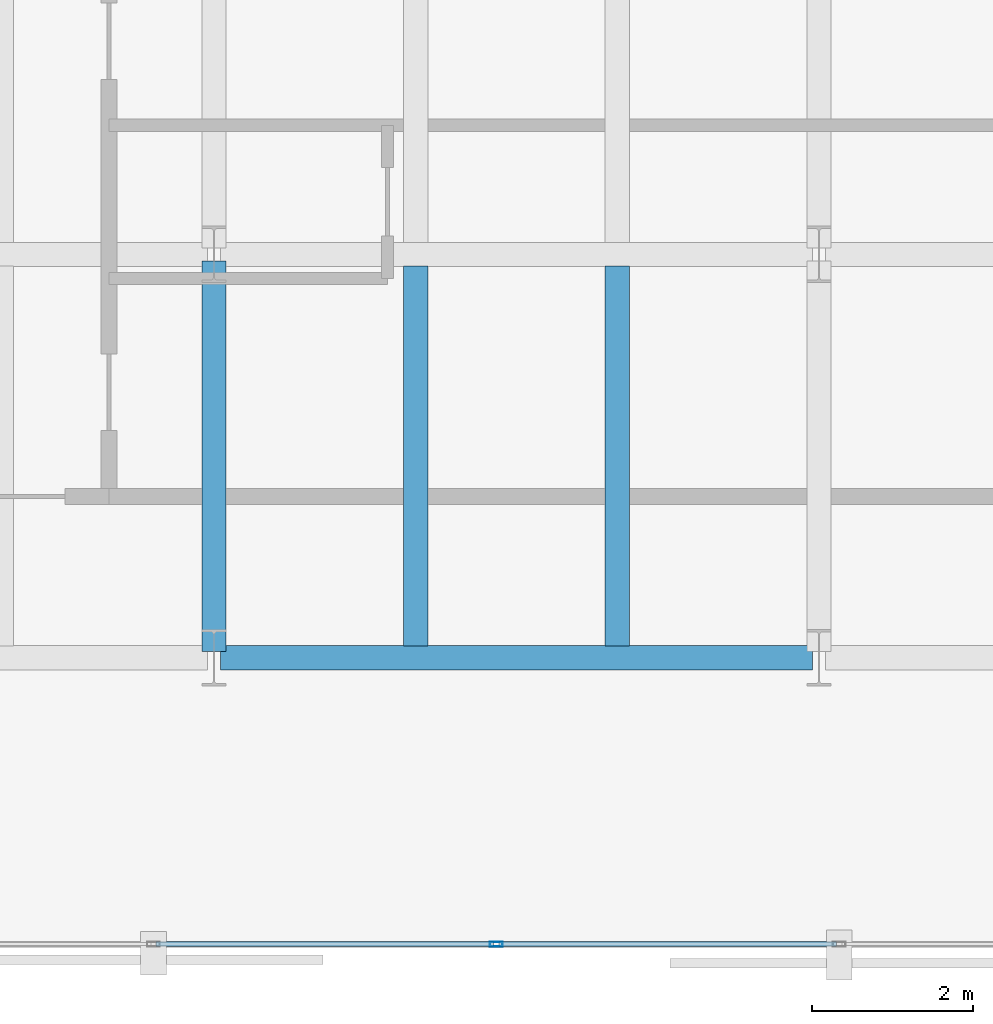
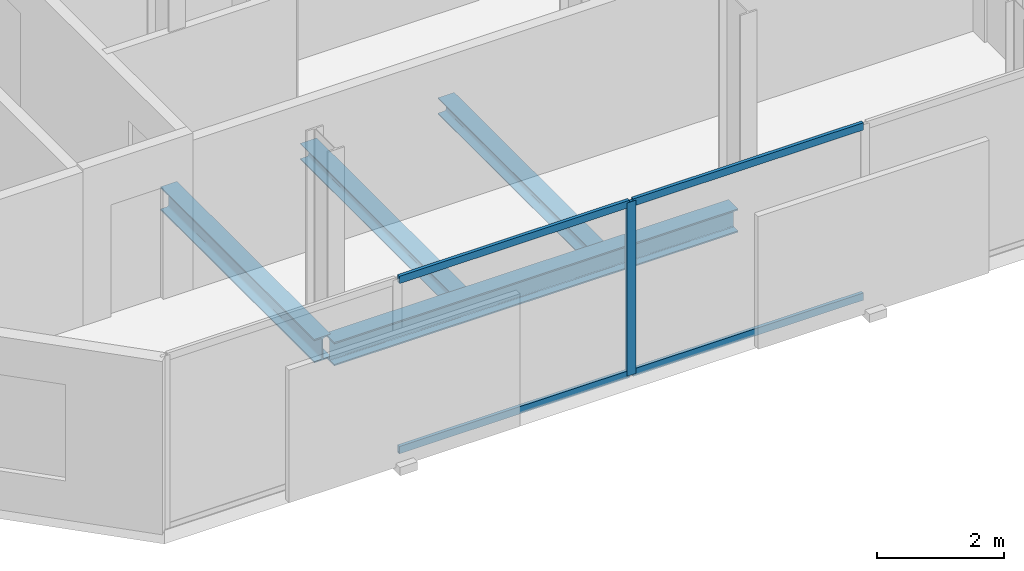
# One storey, part 4 of 32: 5 members, 4 beams, 1 element without a shape of its own.
"""IFC4 building model written with IfcOpenShell, lengths in metres."""

from ifc_helpers import new_model, si_unit, direction, frame, origin, origin_2d, place, context, subcontext, project, spatial, hollow_rectangle, i_section, extrude, material, layer, layer_set, material_profile, profile_set, type_object, element, aggregate, save


model = new_model("IFC4")

# Units and contexts
model_context = context("Model", 3, precision=1e-05, world=origin(), true_north=direction((0.0, 1.0)))
body_context = subcontext(model_context, "Body", "Model", "MODEL_VIEW")
ifc_project = project(units=[si_unit("LENGTHUNIT", "METRE"), si_unit("AREAUNIT", "SQUARE_METRE"), si_unit("VOLUMEUNIT", "CUBIC_METRE"), si_unit("PLANEANGLEUNIT", "RADIAN"), si_unit("MASSUNIT", "GRAM", prefix="KILO")], contexts=[model_context])

# Site, building, storey
site_placement = place(None, origin())
site = spatial("IfcSite", under=ifc_project, at=site_placement, CompositionType="ELEMENT")
building_placement = place(site_placement, origin())
building = spatial("IfcBuilding", under=site, at=building_placement, Name="Catumbela Crestline Tower", CompositionType="ELEMENT")
storey_placement = place(building_placement, frame((0.0, 0.0, 129.6)))
storey = spatial("IfcBuildingStorey", under=building, at=storey_placement, Name="L33", CompositionType="ELEMENT", Elevation=129.6)

# Beams
ifc_material_1 = material(Name="Structural steel S355J2", Category="steel")
ifc_material_profile_1 = material_profile(ifc_material_1, i_section(OverallWidth=0.3, OverallDepth=0.45, WebThickness=0.014, FlangeThickness=0.026, FilletRadius=0.027, at=origin_2d()), Name="HEB 450")
ifc_profile_set_1 = profile_set([ifc_material_profile_1], Name="Structural steel S355J2")
beam_type_1 = type_object("IfcBeamType", Name="BG-HEB450", PredefinedType="BEAM", material=ifc_profile_set_1)
beam_1_placement = place(storey_placement, frame((8.58, 8.6, -0.485), z_axis=(1.0, 0.0, 0.0), x_axis=(0.0, 1.0, 0.0)))
element("IfcBeam", 1, at=beam_1_placement, inside=storey, type_object=beam_type_1, Name="L33 Beam BM-L33-WEW44", PredefinedType="BEAM", context=body_context, shape_type="SweptSolid", body=[
    extrude(i_section(OverallWidth=0.3, OverallDepth=0.45, WebThickness=0.014, FlangeThickness=0.026, FilletRadius=0.027, at=origin_2d()), origin(), (0.0, 0.0, 1.0), 7.34),
])
beam_2_placement = place(storey_placement, frame((8.5, 8.68, -0.485), z_axis=(0.0, 1.0, 0.0), x_axis=(-1.0, 0.0, 0.0)))
element("IfcBeam", 2, at=beam_2_placement, inside=storey, type_object=beam_type_1, Name="L33 Beam BM-L33-WNS55", PredefinedType="BEAM", context=body_context, shape_type="SweptSolid", body=[
    extrude(i_section(OverallWidth=0.3, OverallDepth=0.45, WebThickness=0.014, FlangeThickness=0.026, FilletRadius=0.027, at=origin_2d()), origin(), (0.0, 0.0, 1.0), 4.84),
])
ifc_material_profile_2 = material_profile(ifc_material_1, i_section(OverallWidth=0.3, OverallDepth=0.31, WebThickness=0.009, FlangeThickness=0.0155, FilletRadius=0.027, at=origin_2d()), Name="HEA 320")
ifc_profile_set_2 = profile_set([ifc_material_profile_2], Name="Structural steel S355J2")
beam_type_2 = type_object("IfcBeamType", Name="BJ-HEA320", PredefinedType="JOIST", material=ifc_profile_set_2)
for number, where, z_axis, x_axis, name in (
    (3, (11.0, 8.747, -0.415), (0.0, 1.0, 0.0), (-1.0, 0.0, 0.0), "L33 Joist JS-L33-WG65"),
    (4, (13.5, 8.747, -0.415), (0.0, 1.0, 0.0), (-1.0, 0.0, 0.0), "L33 Joist JS-L33-WG66"),
):
    element("IfcBeam", number, at=place(storey_placement, frame(where, z_axis=z_axis, x_axis=x_axis)), inside=storey, type_object=beam_type_2, Name=name, PredefinedType="JOIST", context=body_context, shape_type="SweptSolid", body=[
        extrude(i_section(OverallWidth=0.3, OverallDepth=0.31, WebThickness=0.009, FlangeThickness=0.0155, FilletRadius=0.027, at=origin_2d()), origin(), (0.0, 0.0, 1.0), 4.706),
    ])

# Curtain wall, members
ifc_material_2 = material(Name="Aluminium alloy AW-6060-T66", Category="aluminium")
ifc_layer = layer(ifc_material_2, 0.18, Name="Aluminium alloy AW-6060-T66")
ifc_layer_set = layer_set([ifc_layer], Name="Aluminium alloy AW-6060-T66")
curtain_wall_type = type_object("IfcCurtainWallType", Name="CWU-Z2", PredefinedType="USERDEFINED", material=ifc_layer_set)
curtain_wall_placement = place(storey_placement, origin())
curtain_wall = element("IfcCurtainWall", 5, at=curtain_wall_placement, inside=storey, type_object=curtain_wall_type, Name="L33 Unitised Curtain Wall CW-L33-E0S1", ObjectType="UNITISED", PredefinedType="USERDEFINED")
ifc_material_profile_3 = material_profile(ifc_material_2, hollow_rectangle(XDim=0.06, YDim=0.16, WallThickness=0.004, at=origin_2d()), Name="ALU 160x60x4")
ifc_profile_set_3 = profile_set([ifc_material_profile_3], Name="Aluminium alloy AW-6060-T66")
member_type_1 = type_object("IfcMemberType", Name="MUL-160X60", PredefinedType="MULLION", material=ifc_profile_set_3)
member_1_placement = place(storey_placement, frame((12.0, 5.05, 0.0), z_axis=(0.0, 0.0, 1.0), x_axis=(0.0, 1.0, 0.0)))
member_1 = element("IfcMember", 6, at=member_1_placement, type_object=member_type_1, Name="CWU-Z2 mullion 3", PredefinedType="MULLION", context=body_context, shape_type="SweptSolid", body=[
    extrude(hollow_rectangle(XDim=0.06, YDim=0.16, WallThickness=0.004, at=origin_2d()), origin(), (0.0, 0.0, 1.0), 3.33),
])
ifc_material_profile_4 = material_profile(ifc_material_2, hollow_rectangle(XDim=0.06, YDim=0.14, WallThickness=0.004, at=origin_2d()), Name="ALU 140x60x4")
ifc_profile_set_4 = profile_set([ifc_material_profile_4], Name="Aluminium alloy AW-6060-T66")
member_type_2 = type_object("IfcMemberType", Name="TRN-140X60", PredefinedType="USERDEFINED", material=ifc_profile_set_4)
member_2_placement = place(storey_placement, frame((7.7825, 5.05, 0.03), z_axis=(1.0, 0.0, 0.0), x_axis=(0.0, 1.0, 0.0)))
member_2 = element("IfcMember", 7, at=member_2_placement, type_object=member_type_2, Name="CWU-Z2 transom 2.1", ObjectType="TRANSOM", PredefinedType="USERDEFINED", context=body_context, shape_type="SweptSolid", body=[
    extrude(hollow_rectangle(XDim=0.06, YDim=0.14, WallThickness=0.004, at=origin_2d()), origin(), (0.0, 0.0, 1.0), 4.185),
])
member_3_placement = place(storey_placement, frame((7.7825, 5.05, 3.3), z_axis=(1.0, 0.0, 0.0), x_axis=(0.0, 1.0, 0.0)))
member_3 = element("IfcMember", 8, at=member_3_placement, type_object=member_type_2, Name="CWU-Z2 transom 2.2", ObjectType="TRANSOM", PredefinedType="USERDEFINED", context=body_context, shape_type="SweptSolid", body=[
    extrude(hollow_rectangle(XDim=0.06, YDim=0.14, WallThickness=0.004, at=origin_2d()), origin(), (0.0, 0.0, 1.0), 4.185),
])
member_4_placement = place(storey_placement, frame((12.0325, 5.05, 0.03), z_axis=(1.0, 0.0, 0.0), x_axis=(0.0, 1.0, 0.0)))
member_4 = element("IfcMember", 9, at=member_4_placement, type_object=member_type_2, Name="CWU-Z2 transom 3.1", ObjectType="TRANSOM", PredefinedType="USERDEFINED", context=body_context, shape_type="SweptSolid", body=[
    extrude(hollow_rectangle(XDim=0.06, YDim=0.14, WallThickness=0.004, at=origin_2d()), origin(), (0.0, 0.0, 1.0), 4.185),
])
member_5_placement = place(storey_placement, frame((12.0325, 5.05, 3.3), z_axis=(1.0, 0.0, 0.0), x_axis=(0.0, 1.0, 0.0)))
member_5 = element("IfcMember", 10, at=member_5_placement, type_object=member_type_2, Name="CWU-Z2 transom 3.2", ObjectType="TRANSOM", PredefinedType="USERDEFINED", context=body_context, shape_type="SweptSolid", body=[
    extrude(hollow_rectangle(XDim=0.06, YDim=0.14, WallThickness=0.004, at=origin_2d()), origin(), (0.0, 0.0, 1.0), 4.185),
])
aggregate(curtain_wall, [member_1, member_2, member_3, member_4, member_5])

save(model, "model.ifc")
